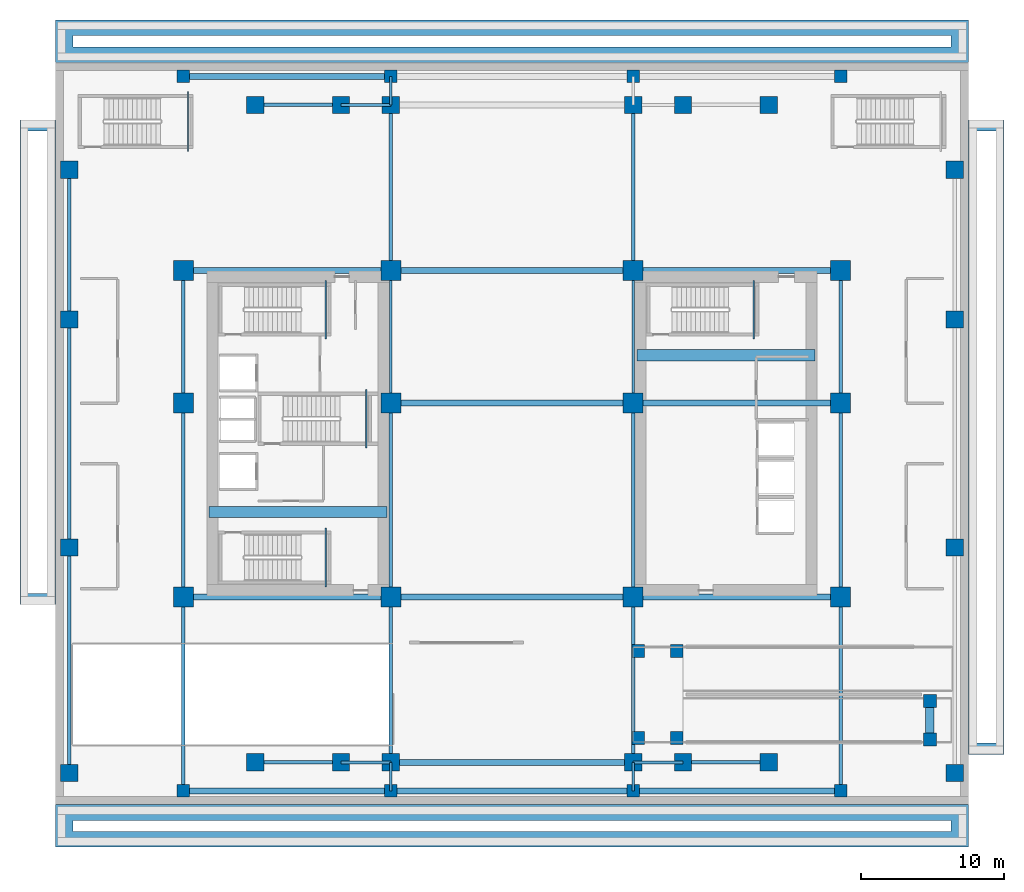
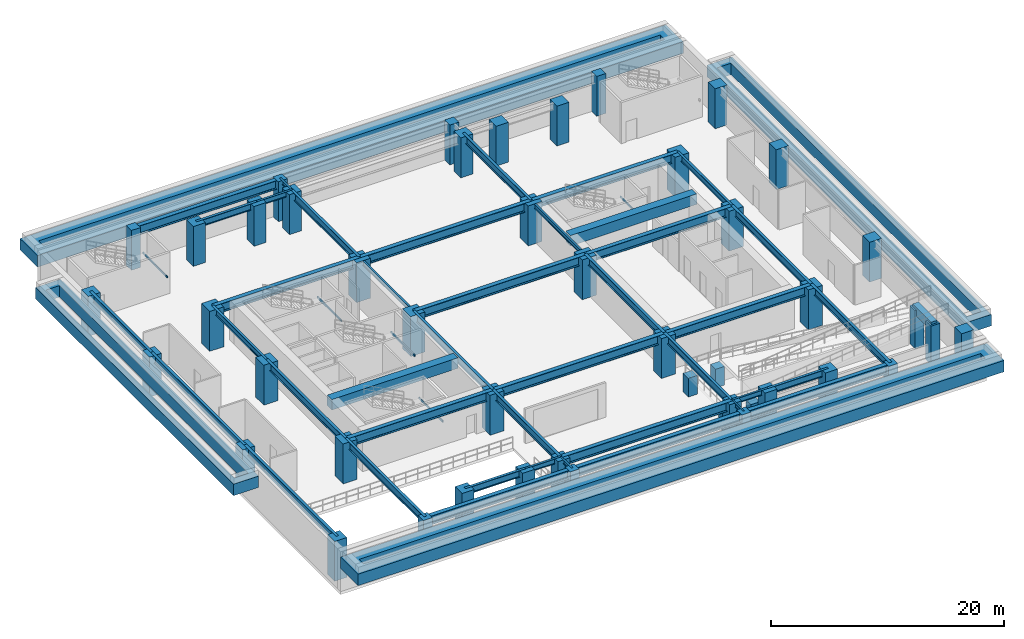
# One storey, part 1 of 9: 47 beams, 46 columns, 4 footings.
"""IFC4 building model written with IfcOpenShell, lengths in metres."""

from ifc_helpers import new_model, si_unit, direction, frame, origin, origin_2d, place, context, subcontext, project, spatial, polyline, rectangle, hollow_rectangle, i_section, outline, extrude, source, transform, mapped, material, material_profile, profile_set, type_object, element, save


model = new_model("IFC4")

# Units and contexts
model_context = context("Model", 3, precision=1e-05, world=origin(), true_north=direction((0.0, 1.0)))
body_context = subcontext(model_context, "Body", "Model", "MODEL_VIEW")
ifc_project = project(units=[si_unit("LENGTHUNIT", "METRE"), si_unit("AREAUNIT", "SQUARE_METRE"), si_unit("VOLUMEUNIT", "CUBIC_METRE"), si_unit("PLANEANGLEUNIT", "RADIAN"), si_unit("MASSUNIT", "GRAM", prefix="KILO")], contexts=[model_context])

# Site, building, storey
site_placement = place(None, origin())
site = spatial("IfcSite", under=ifc_project, at=site_placement, CompositionType="ELEMENT")
building_placement = place(site_placement, origin())
building = spatial("IfcBuilding", under=site, at=building_placement, Name="Ocotamira Hotel", CompositionType="ELEMENT")
storey_placement = place(building_placement, frame((0.0, 0.0, -4.5)))
storey = spatial("IfcBuildingStorey", under=building, at=storey_placement, Name="B01", CompositionType="ELEMENT", Elevation=-4.5)

# Footings
ifc_material_1 = material(Name="Concrete C50/60", Category="concrete")
footing_type = type_object("IfcFootingType", Name="FTG-SF-1000", PredefinedType="STRIP_FOOTING", material=ifc_material_1)
footing_1_placement = place(storey_placement, frame((0.0, 0.0, 2.449951171875)))
element("IfcFooting", 1, at=footing_1_placement, inside=storey, type_object=footing_type, Name="South Plaza Apron Ring Strip Footing", PredefinedType="STRIP_FOOTING", context=body_context, shape_type="SweptSolid", body=[
    extrude(outline(polyline([(0.0, -3.0), (64.0, -3.0), (64.0, -0.02001953125), (0.0, -0.02001953125), (0.0, -3.0)]), holes=[polyline([(1.199951171875, -1.89990234375), (62.800048828125, -1.89990234375), (62.800048828125, -1.1201171875), (1.199951171875, -1.1201171875), (1.199951171875, -1.89990234375)])]), origin(), (0.0, 0.0, 1.0), 1.199951171875),
])
footing_2_placement = place(storey_placement, frame((0.0, 0.0, 2.449951171875)))
element("IfcFooting", 2, at=footing_2_placement, inside=storey, type_object=footing_type, Name="North Plaza Apron Ring Strip Footing", PredefinedType="STRIP_FOOTING", context=body_context, shape_type="SweptSolid", body=[
    extrude(outline(polyline([(0.0, 52.02001953125), (64.0, 52.02001953125), (64.0, 55.0), (0.0, 55.0), (0.0, 52.02001953125)]), holes=[polyline([(1.199951171875, 53.1201171875), (62.800048828125, 53.1201171875), (62.800048828125, 53.89990234375), (1.199951171875, 53.89990234375), (1.199951171875, 53.1201171875)])]), origin(), (0.0, 0.0, 1.0), 1.199951171875),
])
footing_3_placement = place(storey_placement, frame((0.0, 0.0, 2.449951171875)))
element("IfcFooting", 3, at=footing_3_placement, inside=storey, type_object=footing_type, Name="West Exit Sidewalk Ring Strip Footing", PredefinedType="STRIP_FOOTING", context=body_context, shape_type="SweptSolid", body=[
    extrude(outline(polyline([(-2.5, 14.0), (-0.02001953125, 14.0), (-0.02001953125, 48.0), (-2.5, 48.0), (-2.5, 14.0)]), holes=[polyline([(-1.949951171875, 14.800048828125), (-0.570068359375, 14.800048828125), (-0.570068359375, 47.199951171875), (-1.949951171875, 47.199951171875), (-1.949951171875, 14.800048828125)])]), origin(), (0.0, 0.0, 1.0), 1.199951171875),
])
footing_4_placement = place(storey_placement, frame((0.0, 0.0, 2.449951171875)))
element("IfcFooting", 4, at=footing_4_placement, inside=storey, type_object=footing_type, Name="East Exit Sidewalk Ring Strip Footing", PredefinedType="STRIP_FOOTING", context=body_context, shape_type="SweptSolid", body=[
    extrude(outline(polyline([(64.02001953125, 3.5), (66.5, 3.5), (66.5, 48.0), (64.02001953125, 48.0), (64.02001953125, 3.5)]), holes=[polyline([(64.570068359375, 4.300048828125), (65.949951171875, 4.300048828125), (65.949951171875, 47.199951171875), (64.570068359375, 47.199951171875), (64.570068359375, 4.300048828125)])]), origin(), (0.0, 0.0, 1.0), 1.199951171875),
])

# Columns
ifc_material_profile_1 = material_profile(ifc_material_1, rectangle(XDim=0.89990234375, YDim=0.89990234375, at=origin_2d()), Name="RC900X900")
ifc_profile_set_1 = profile_set([ifc_material_profile_1], Name="Concrete C50/60")
column_type_1 = type_object("IfcColumnType", Name="COL-RC900", PredefinedType="COLUMN", material=ifc_profile_set_1)
shared_shape_1 = source(origin(), body_context, "Body", "SweptSolid", [
    extrude(rectangle(XDim=0.89990234375, YDim=0.89990234375, at=origin_2d()), origin(), (0.0, 0.0, 1.0), 1.949951171875),
])
for number, where, z_axis, x_axis, name in (
    (5, (40.85009765625, 4.64990234375, 0.0), (0.0, 0.0, 1.0), (1.0, 0.0, 0.0), "B01 Ramp VR-2 Landing Column 1"),
    (6, (43.550048828125, 4.64990234375, 0.0), (0.0, 0.0, 1.0), (1.0, 0.0, 0.0), "B01 Ramp VR-2 Landing Column 2"),
    (7, (40.85009765625, 10.75, 0.0), (0.0, 0.0, 1.0), (1.0, 0.0, 0.0), "B01 Ramp VR-2 Landing Column 3"),
    (8, (43.550048828125, 10.75, 0.0), (0.0, 0.0, 1.0), (1.0, 0.0, 0.0), "B01 Ramp VR-2 Landing Column 4"),
):
    element("IfcColumn", number, at=place(storey_placement, frame(where, z_axis=z_axis, x_axis=x_axis)), inside=storey, type_object=column_type_1, Name=name, PredefinedType="COLUMN", context=body_context, shape_type="MappedRepresentation", body=[
        mapped(shared_shape_1, transform((0.0, 0.0, 0.0), scale=1.0)),
    ])
shared_shape_2 = source(origin(), body_context, "Body", "SweptSolid", [
    extrude(rectangle(XDim=0.89990234375, YDim=0.89990234375, at=origin_2d()), origin(), (0.0, 0.0, 1.0), 4.02001953125),
])
for number, where, z_axis, x_axis, name in (
    (9, (61.300048828125, 4.550048828125, 0.0), (0.0, 0.0, 1.0), (1.0, 0.0, 0.0), "B01 Ramp VR-2 Arrival Pier 1"),
    (10, (61.300048828125, 7.25, 0.0), (0.0, 0.0, 1.0), (1.0, 0.0, 0.0), "B01 Ramp VR-2 Arrival Pier 2"),
):
    element("IfcColumn", number, at=place(storey_placement, frame(where, z_axis=z_axis, x_axis=x_axis)), inside=storey, type_object=column_type_1, Name=name, PredefinedType="COLUMN", context=body_context, shape_type="MappedRepresentation", body=[
        mapped(shared_shape_2, transform((0.0, 0.0, 0.0), scale=1.0)),
    ])
ifc_material_2 = material(Name="Concrete C60/75", Category="concrete")
ifc_material_profile_2 = material_profile(ifc_material_2, rectangle(XDim=1.199951171875, YDim=1.199951171875, at=origin_2d()), Name="RC1200X1200")
ifc_profile_set_2 = profile_set([ifc_material_profile_2], Name="Concrete C60/75")
column_type_2 = type_object("IfcColumnType", Name="COL-RC1200", PredefinedType="COLUMN", material=ifc_profile_set_2)
shared_shape_3 = source(origin(), body_context, "Body", "SweptSolid", [
    extrude(rectangle(XDim=1.199951171875, YDim=1.199951171875, at=origin_2d()), origin(), (0.0, 0.0, 1.0), 4.179931640625),
])
for number, where, z_axis, x_axis, name in (
    (11, (0.949951171875, 2.199951171875, 0.0), (0.0, 0.0, 1.0), (1.0, 0.0, 0.0), "B01 Column PW1"),
    (12, (63.050048828125, 2.199951171875, 0.0), (0.0, 0.0, 1.0), (1.0, 0.0, 0.0), "B01 Column PE1"),
    (13, (0.949951171875, 18.0, 0.0), (0.0, 0.0, 1.0), (1.0, 0.0, 0.0), "B01 Column PW2"),
    (14, (63.050048828125, 18.0, 0.0), (0.0, 0.0, 1.0), (1.0, 0.0, 0.0), "B01 Column PE2"),
    (15, (0.949951171875, 34.0, 0.0), (0.0, 0.0, 1.0), (1.0, 0.0, 0.0), "B01 Column PW3"),
    (16, (63.050048828125, 34.0, 0.0), (0.0, 0.0, 1.0), (1.0, 0.0, 0.0), "B01 Column PE3"),
    (17, (0.949951171875, 44.5, 0.0), (0.0, 0.0, 1.0), (1.0, 0.0, 0.0), "B01 Column PW4"),
    (18, (63.050048828125, 44.5, 0.0), (0.0, 0.0, 1.0), (1.0, 0.0, 0.0), "B01 Column PE4"),
    (19, (14.0, 2.949951171875, 0.0), (0.0, 0.0, 1.0), (1.0, 0.0, 0.0), "B01 Column NSP1_14"),
    (20, (20.0, 2.949951171875, 0.0), (0.0, 0.0, 1.0), (1.0, 0.0, 0.0), "B01 Column NSP1_20"),
    (21, (23.5, 2.949951171875, 0.0), (0.0, 0.0, 1.0), (1.0, 0.0, 0.0), "B01 Column NSP1_23"),
    (22, (40.5, 2.949951171875, 0.0), (0.0, 0.0, 1.0), (1.0, 0.0, 0.0), "B01 Column NSP1_40"),
    (23, (44.0, 2.949951171875, 0.0), (0.0, 0.0, 1.0), (1.0, 0.0, 0.0), "B01 Column NSP1_44"),
    (24, (50.0, 2.949951171875, 0.0), (0.0, 0.0, 1.0), (1.0, 0.0, 0.0), "B01 Column NSP1_50"),
    (25, (14.0, 49.050048828125, 0.0), (0.0, 0.0, 1.0), (1.0, 0.0, 0.0), "B01 Column NSP2_14"),
    (26, (20.0, 49.050048828125, 0.0), (0.0, 0.0, 1.0), (1.0, 0.0, 0.0), "B01 Column NSP2_20"),
    (27, (23.5, 49.050048828125, 0.0), (0.0, 0.0, 1.0), (1.0, 0.0, 0.0), "B01 Column NSP2_23"),
    (28, (40.5, 49.050048828125, 0.0), (0.0, 0.0, 1.0), (1.0, 0.0, 0.0), "B01 Column NSP2_40"),
    (29, (44.0, 49.050048828125, 0.0), (0.0, 0.0, 1.0), (1.0, 0.0, 0.0), "B01 Column NSP2_44"),
    (30, (50.0, 49.050048828125, 0.0), (0.0, 0.0, 1.0), (1.0, 0.0, 0.0), "B01 Column NSP2_50"),
):
    element("IfcColumn", number, at=place(storey_placement, frame(where, z_axis=z_axis, x_axis=x_axis)), inside=storey, type_object=column_type_2, Name=name, PredefinedType="COLUMN", context=body_context, shape_type="MappedRepresentation", body=[
        mapped(shared_shape_3, transform((0.0, 0.0, 0.0), scale=1.0)),
    ])
shared_shape_4 = source(origin(), body_context, "Body", "SweptSolid", [
    extrude(rectangle(XDim=0.89990234375, YDim=0.89990234375, at=origin_2d()), origin(), (0.0, 0.0, 1.0), 4.179931640625),
])
for number, where, z_axis, x_axis, name in (
    (31, (8.949951171875, 0.949951171875, 0.0), (0.0, 0.0, 1.0), (1.0, 0.0, 0.0), "B01 Column PS1_1"),
    (32, (23.5, 0.949951171875, 0.0), (0.0, 0.0, 1.0), (1.0, 0.0, 0.0), "B01 Column PS1_2"),
    (33, (40.5, 0.949951171875, 0.0), (0.0, 0.0, 1.0), (1.0, 0.0, 0.0), "B01 Column PS1_3"),
    (34, (55.050048828125, 0.949951171875, 0.0), (0.0, 0.0, 1.0), (1.0, 0.0, 0.0), "B01 Column PS1_4"),
    (35, (8.949951171875, 51.050048828125, 0.0), (0.0, 0.0, 1.0), (1.0, 0.0, 0.0), "B01 Column PS2_1"),
    (36, (23.5, 51.050048828125, 0.0), (0.0, 0.0, 1.0), (1.0, 0.0, 0.0), "B01 Column PS2_2"),
    (37, (40.5, 51.050048828125, 0.0), (0.0, 0.0, 1.0), (1.0, 0.0, 0.0), "B01 Column PS2_3"),
    (38, (55.050048828125, 51.050048828125, 0.0), (0.0, 0.0, 1.0), (1.0, 0.0, 0.0), "B01 Column PS2_4"),
):
    element("IfcColumn", number, at=place(storey_placement, frame(where, z_axis=z_axis, x_axis=x_axis)), inside=storey, type_object=column_type_1, Name=name, PredefinedType="COLUMN", context=body_context, shape_type="MappedRepresentation", body=[
        mapped(shared_shape_4, transform((0.0, 0.0, 0.0), scale=1.0)),
    ])
ifc_material_profile_3 = material_profile(ifc_material_2, rectangle(XDim=1.39990234375, YDim=1.39990234375, at=origin_2d()), Name="RC1400X1400")
ifc_profile_set_3 = profile_set([ifc_material_profile_3], Name="Concrete C60/75")
column_type_3 = type_object("IfcColumnType", Name="COL-RC1400", PredefinedType="COLUMN", material=ifc_profile_set_3)
shared_shape_5 = source(origin(), body_context, "Body", "SweptSolid", [
    extrude(rectangle(XDim=1.39990234375, YDim=1.39990234375, at=origin_2d()), origin(), (0.0, 0.0, 1.0), 4.179931640625),
])
for number, where, z_axis, x_axis, name in (
    (39, (8.949951171875, 14.550048828125, 0.0), (0.0, 0.0, 1.0), (1.0, 0.0, 0.0), "B01 Column TW8_14"),
    (40, (23.5, 14.550048828125, 0.0), (0.0, 0.0, 1.0), (1.0, 0.0, 0.0), "B01 Column TW23_14"),
    (41, (40.5, 14.550048828125, 0.0), (0.0, 0.0, 1.0), (1.0, 0.0, 0.0), "B01 Column TE40_14"),
    (42, (55.050048828125, 14.550048828125, 0.0), (0.0, 0.0, 1.0), (1.0, 0.0, 0.0), "B01 Column TE55_14"),
    (43, (8.949951171875, 28.14990234375, 0.0), (0.0, 0.0, 1.0), (1.0, 0.0, 0.0), "B01 Column TW8_28"),
    (44, (23.5, 28.14990234375, 0.0), (0.0, 0.0, 1.0), (1.0, 0.0, 0.0), "B01 Column TW23_28"),
    (45, (40.5, 28.14990234375, 0.0), (0.0, 0.0, 1.0), (1.0, 0.0, 0.0), "B01 Column TE40_28"),
    (46, (55.050048828125, 28.14990234375, 0.0), (0.0, 0.0, 1.0), (1.0, 0.0, 0.0), "B01 Column TE55_28"),
    (47, (8.949951171875, 37.449951171875, 0.0), (0.0, 0.0, 1.0), (1.0, 0.0, 0.0), "B01 Column TW8_37"),
    (48, (23.5, 37.449951171875, 0.0), (0.0, 0.0, 1.0), (1.0, 0.0, 0.0), "B01 Column TW23_37"),
    (49, (40.5, 37.449951171875, 0.0), (0.0, 0.0, 1.0), (1.0, 0.0, 0.0), "B01 Column TE40_37"),
    (50, (55.050048828125, 37.449951171875, 0.0), (0.0, 0.0, 1.0), (1.0, 0.0, 0.0), "B01 Column TE55_37"),
):
    element("IfcColumn", number, at=place(storey_placement, frame(where, z_axis=z_axis, x_axis=x_axis)), inside=storey, type_object=column_type_3, Name=name, PredefinedType="COLUMN", context=body_context, shape_type="MappedRepresentation", body=[
        mapped(shared_shape_5, transform((0.0, 0.0, 0.0), scale=1.0)),
    ])

# Beams
ifc_material_profile_4 = material_profile(ifc_material_2, rectangle(XDim=0.800048828125, YDim=1.10009765625, at=origin_2d()), Name="RC800X1100")
ifc_profile_set_4 = profile_set([ifc_material_profile_4], Name="Concrete C60/75")
beam_type_1 = type_object("IfcBeamType", Name="BM-LINK-RC800", PredefinedType="LINTEL", material=ifc_profile_set_4)
shared_shape_6 = source(origin(), body_context, "Body", "SweptSolid", [
    extrude(rectangle(XDim=0.800048828125, YDim=1.10009765625, at=origin_2d()), origin(), (0.0, 0.0, 1.0), 12.5),
])
for number, where, z_axis, x_axis, name in (
    (51, (10.75, 20.5, 3.6298828125), (1.0, 0.0, 0.0), (0.0, 1.0, 0.0), "B01 West Core Coupling Beam"),
    (52, (40.75, 31.5, 3.6298828125), (1.0, 0.0, 0.0), (0.0, 1.0, 0.0), "B01 East Core Coupling Beam"),
):
    element("IfcBeam", number, at=place(storey_placement, frame(where, z_axis=z_axis, x_axis=x_axis)), inside=storey, type_object=beam_type_1, Name=name, PredefinedType="LINTEL", context=body_context, shape_type="MappedRepresentation", body=[
        mapped(shared_shape_6, transform((0.0, 0.0, 0.0), scale=1.0)),
    ])
ifc_material_profile_5 = material_profile(ifc_material_1, rectangle(XDim=0.60009765625, YDim=0.89990234375, at=origin_2d()), Name="RC600X900")
ifc_profile_set_5 = profile_set([ifc_material_profile_5], Name="Concrete C50/60")
beam_type_2 = type_object("IfcBeamType", Name="BM-LINK-RC600", PredefinedType="LINTEL", material=ifc_profile_set_5)
shared_shape_7 = source(origin(), body_context, "Body", "SweptSolid", [
    extrude(rectangle(XDim=0.60009765625, YDim=0.89990234375, at=origin_2d()), origin(), (0.0, 0.0, 1.0), 3.199951171875),
])
beam_1_placement = place(storey_placement, frame((61.300048828125, 4.300048828125, 3.800048828125), z_axis=(0.0, 1.0, 0.0), x_axis=(-1.0, 0.0, 0.0)))
element("IfcBeam", 53, at=beam_1_placement, inside=storey, type_object=beam_type_2, Name="B01 Ramp VR-2 Arrival Header Beam", PredefinedType="LINTEL", context=body_context, shape_type="MappedRepresentation", body=[
    mapped(shared_shape_7, transform((0.0, 0.0, 0.0), scale=1.0)),
])
ifc_material_3 = material(Name="Steel ASTM A500 Grade C", Category="steel")
ifc_material_profile_6 = material_profile(ifc_material_3, hollow_rectangle(XDim=0.10009765625, YDim=0.199951171875, WallThickness=0.008056640625, at=origin_2d()), Name="HSS200X100X8")
ifc_profile_set_6 = profile_set([ifc_material_profile_6], Name="Steel ASTM A500 Grade C")
beam_type_3 = type_object("IfcBeamType", Name="BM-STLDG-HSS200", PredefinedType="BEAM", material=ifc_profile_set_6)
shared_shape_8 = source(origin(), body_context, "Body", "SweptSolid", [
    extrude(hollow_rectangle(XDim=0.10009765625, YDim=0.199951171875, WallThickness=0.008056640625, at=origin_2d()), origin(), (0.0, 0.0, 1.0), 4.1201171875),
])
for number, where, z_axis, x_axis, name in (
    (54, (18.949951171875, 15.25, 1.949951171875), (0.0, 1.0, 0.0), (-1.0, 0.0, 0.0), "B01 Stair ST-1 Landing Bearer 1"),
    (55, (18.949951171875, 32.6298828125, 1.949951171875), (0.0, 1.0, 0.0), (-1.0, 0.0, 0.0), "B01 Stair ST-2 Landing Bearer 1"),
    (56, (21.780029296875, 24.97998046875, 1.949951171875), (0.0, 1.0, 0.0), (-1.0, 0.0, 0.0), "B01 Stair ST-3 Landing Bearer 1"),
    (57, (48.949951171875, 32.6298828125, 1.949951171875), (0.0, 1.0, 0.0), (-1.0, 0.0, 0.0), "B01 Stair ST-4 Landing Bearer 1"),
):
    element("IfcBeam", number, at=place(storey_placement, frame(where, z_axis=z_axis, x_axis=x_axis)), inside=storey, type_object=beam_type_3, Name=name, PredefinedType="BEAM", context=body_context, shape_type="MappedRepresentation", body=[
        mapped(shared_shape_8, transform((0.0, 0.0, 0.0), scale=1.0)),
    ])
shared_shape_9 = source(origin(), body_context, "Body", "SweptSolid", [
    extrude(hollow_rectangle(XDim=0.10009765625, YDim=0.199951171875, WallThickness=0.008056640625, at=origin_2d()), origin(), (0.0, 0.0, 1.0), 4.199951171875),
])
beam_2_placement = place(storey_placement, frame((9.280029296875, 45.780029296875, 1.949951171875), z_axis=(0.0, 1.0, 0.0), x_axis=(-1.0, 0.0, 0.0)))
element("IfcBeam", 58, at=beam_2_placement, inside=storey, type_object=beam_type_3, Name="B01 Stair ST-5 Landing Bearer 1", PredefinedType="BEAM", context=body_context, shape_type="MappedRepresentation", body=[
    mapped(shared_shape_9, transform((0.0, 0.0, 0.0), scale=1.0)),
])
ifc_material_4 = material(Name="Steel ASTM A992 Grade 50", Category="steel")
ifc_material_profile_7 = material_profile(ifc_material_4, i_section(OverallWidth=0.41796875, OverallDepth=0.927001953125, WebThickness=0.019287109375, FlangeThickness=0.031982421875, FilletRadius=0.02392578125, at=origin_2d()), Name="W36X231")
ifc_profile_set_7 = profile_set([ifc_material_profile_7], Name="Steel ASTM A992 Grade 50")
beam_type_4 = type_object("IfcBeamType", Name="BM-GIRD-W36X231", PredefinedType="BEAM", material=ifc_profile_set_7)
shared_shape_10 = source(origin(), body_context, "Body", "SweptSolid", [
    extrude(i_section(OverallWidth=0.41796875, OverallDepth=0.927001953125, WebThickness=0.019287109375, FlangeThickness=0.031982421875, FilletRadius=0.02392578125, at=origin_2d()), origin(), (0.0, 0.0, 1.0), 14.550048828125),
])
for number, where, z_axis, x_axis, name in (
    (59, (8.949951171875, 0.949951171875, 3.716552734375), (1.0, 0.0, 0.0), (0.0, 1.0, 0.0), "B01 Girder Y0.95 X8.95-23.5"),
    (60, (40.5, 0.949951171875, 3.716552734375), (1.0, 0.0, 0.0), (0.0, 1.0, 0.0), "B01 Girder Y0.95 X40.5-55.05"),
    (61, (8.949951171875, 14.550048828125, 3.716552734375), (1.0, 0.0, 0.0), (0.0, 1.0, 0.0), "B01 Girder Y14.55 X8.95-23.5"),
    (62, (40.5, 14.550048828125, 3.716552734375), (1.0, 0.0, 0.0), (0.0, 1.0, 0.0), "B01 Girder Y14.55 X40.5-55.05"),
    (63, (40.5, 28.14990234375, 3.716552734375), (1.0, 0.0, 0.0), (0.0, 1.0, 0.0), "B01 Girder Y28.15 X40.5-55.05"),
    (64, (8.949951171875, 37.449951171875, 3.716552734375), (1.0, 0.0, 0.0), (0.0, 1.0, 0.0), "B01 Girder Y37.45 X8.95-23.5"),
    (65, (40.5, 37.449951171875, 3.716552734375), (1.0, 0.0, 0.0), (0.0, 1.0, 0.0), "B01 Girder Y37.45 X40.5-55.05"),
    (66, (8.949951171875, 51.050048828125, 3.716552734375), (1.0, 0.0, 0.0), (0.0, 1.0, 0.0), "B01 Girder Y51.05 X8.95-23.5"),
):
    element("IfcBeam", number, at=place(storey_placement, frame(where, z_axis=z_axis, x_axis=x_axis)), inside=storey, type_object=beam_type_4, Name=name, PredefinedType="BEAM", context=body_context, shape_type="MappedRepresentation", body=[
        mapped(shared_shape_10, transform((0.0, 0.0, 0.0), scale=1.0)),
    ])
ifc_material_profile_8 = material_profile(ifc_material_4, i_section(OverallWidth=0.256103515625, OverallDepth=0.693115234375, WebThickness=0.014404296875, FlangeThickness=0.023681640625, FilletRadius=0.01611328125, at=origin_2d()), Name="W27X114")
ifc_profile_set_8 = profile_set([ifc_material_profile_8], Name="Steel ASTM A992 Grade 50")
beam_type_5 = type_object("IfcBeamType", Name="BM-PRIM-W27X114", PredefinedType="BEAM", material=ifc_profile_set_8)
shared_shape_11 = source(origin(), body_context, "Body", "SweptSolid", [
    extrude(i_section(OverallWidth=0.256103515625, OverallDepth=0.693115234375, WebThickness=0.014404296875, FlangeThickness=0.023681640625, FilletRadius=0.01611328125, at=origin_2d()), origin(), (0.0, 0.0, 1.0), 6.0),
])
for number, where, z_axis, x_axis, name in (
    (67, (14.0, 2.949951171875, 3.83349609375), (1.0, 0.0, 0.0), (0.0, 1.0, 0.0), "B01 Girder Y2.95 X14-20"),
    (68, (44.0, 2.949951171875, 3.83349609375), (1.0, 0.0, 0.0), (0.0, 1.0, 0.0), "B01 Girder Y2.95 X44-50"),
    (69, (14.0, 49.050048828125, 3.83349609375), (1.0, 0.0, 0.0), (0.0, 1.0, 0.0), "B01 Girder Y49.05 X14-20"),
):
    element("IfcBeam", number, at=place(storey_placement, frame(where, z_axis=z_axis, x_axis=x_axis)), inside=storey, type_object=beam_type_5, Name=name, PredefinedType="BEAM", context=body_context, shape_type="MappedRepresentation", body=[
        mapped(shared_shape_11, transform((0.0, 0.0, 0.0), scale=1.0)),
    ])
ifc_material_profile_9 = material_profile(ifc_material_4, i_section(OverallWidth=0.2099609375, OverallDepth=0.537109375, WebThickness=0.010986328125, FlangeThickness=0.017333984375, FilletRadius=0.012939453125, at=origin_2d()), Name="W21X68")
ifc_profile_set_9 = profile_set([ifc_material_profile_9], Name="Steel ASTM A992 Grade 50")
beam_type_6 = type_object("IfcBeamType", Name="BM-SEC-W21X68", PredefinedType="JOIST", material=ifc_profile_set_9)
shared_shape_12 = source(origin(), body_context, "Body", "SweptSolid", [
    extrude(i_section(OverallWidth=0.2099609375, OverallDepth=0.537109375, WebThickness=0.010986328125, FlangeThickness=0.017333984375, FilletRadius=0.012939453125, at=origin_2d()), origin(), (0.0, 0.0, 1.0), 3.5),
])
for number, where, z_axis, x_axis, name in (
    (70, (20.0, 2.949951171875, 3.91162109375), (1.0, 0.0, 0.0), (0.0, 1.0, 0.0), "B01 Girder Y2.95 X20-23.5"),
    (71, (40.5, 2.949951171875, 3.91162109375), (1.0, 0.0, 0.0), (0.0, 1.0, 0.0), "B01 Girder Y2.95 X40.5-44"),
    (72, (20.0, 49.050048828125, 3.91162109375), (1.0, 0.0, 0.0), (0.0, 1.0, 0.0), "B01 Girder Y49.05 X20-23.5"),
):
    element("IfcBeam", number, at=place(storey_placement, frame(where, z_axis=z_axis, x_axis=x_axis)), inside=storey, type_object=beam_type_6, Name=name, PredefinedType="JOIST", context=body_context, shape_type="MappedRepresentation", body=[
        mapped(shared_shape_12, transform((0.0, 0.0, 0.0), scale=1.0)),
    ])
ifc_material_profile_10 = material_profile(ifc_material_4, i_section(OverallWidth=0.26611328125, OverallDepth=0.779052734375, WebThickness=0.0166015625, FlangeThickness=0.030029296875, FilletRadius=0.01806640625, at=origin_2d()), Name="W30X148")
ifc_profile_set_10 = profile_set([ifc_material_profile_10], Name="Steel ASTM A992 Grade 50")
beam_type_7 = type_object("IfcBeamType", Name="BM-GIRD-W30X148", PredefinedType="BEAM", material=ifc_profile_set_10)
shared_shape_13 = source(origin(), body_context, "Body", "SweptSolid", [
    extrude(i_section(OverallWidth=0.26611328125, OverallDepth=0.779052734375, WebThickness=0.0166015625, FlangeThickness=0.030029296875, FilletRadius=0.01806640625, at=origin_2d()), origin(), (0.0, 0.0, 1.0), 15.800048828125),
])
beam_3_placement = place(storey_placement, frame((0.949951171875, 2.199951171875, 3.79052734375), z_axis=(0.0, 1.0, 0.0), x_axis=(-1.0, 0.0, 0.0)))
element("IfcBeam", 73, at=beam_3_placement, inside=storey, type_object=beam_type_7, Name="B01 Beam X0.95 Y2.2-18", PredefinedType="BEAM", context=body_context, shape_type="MappedRepresentation", body=[
    mapped(shared_shape_13, transform((0.0, 0.0, 0.0), scale=1.0)),
])
shared_shape_14 = source(origin(), body_context, "Body", "SweptSolid", [
    extrude(i_section(OverallWidth=0.26611328125, OverallDepth=0.779052734375, WebThickness=0.0166015625, FlangeThickness=0.030029296875, FilletRadius=0.01806640625, at=origin_2d()), origin(), (0.0, 0.0, 1.0), 16.0),
])
beam_4_placement = place(storey_placement, frame((0.949951171875, 18.0, 3.79052734375), z_axis=(0.0, 1.0, 0.0), x_axis=(-1.0, 0.0, 0.0)))
element("IfcBeam", 74, at=beam_4_placement, inside=storey, type_object=beam_type_7, Name="B01 Beam X0.95 Y18-34", PredefinedType="BEAM", context=body_context, shape_type="MappedRepresentation", body=[
    mapped(shared_shape_14, transform((0.0, 0.0, 0.0), scale=1.0)),
])
shared_shape_15 = source(origin(), body_context, "Body", "SweptSolid", [
    extrude(i_section(OverallWidth=0.26611328125, OverallDepth=0.779052734375, WebThickness=0.0166015625, FlangeThickness=0.030029296875, FilletRadius=0.01806640625, at=origin_2d()), origin(), (0.0, 0.0, 1.0), 10.5),
])
beam_5_placement = place(storey_placement, frame((0.949951171875, 34.0, 3.79052734375), z_axis=(0.0, 1.0, 0.0), x_axis=(-1.0, 0.0, 0.0)))
element("IfcBeam", 75, at=beam_5_placement, inside=storey, type_object=beam_type_7, Name="B01 Beam X0.95 Y34-44.5", PredefinedType="BEAM", context=body_context, shape_type="MappedRepresentation", body=[
    mapped(shared_shape_15, transform((0.0, 0.0, 0.0), scale=1.0)),
])
shared_shape_16 = source(origin(), body_context, "Body", "SweptSolid", [
    extrude(i_section(OverallWidth=0.26611328125, OverallDepth=0.779052734375, WebThickness=0.0166015625, FlangeThickness=0.030029296875, FilletRadius=0.01806640625, at=origin_2d()), origin(), (0.0, 0.0, 1.0), 13.60009765625),
])
for number, where, z_axis, x_axis, name in (
    (76, (8.949951171875, 0.949951171875, 3.79052734375), (0.0, 1.0, 0.0), (-1.0, 0.0, 0.0), "B01 Beam X8.95 Y0.95-14.55"),
    (77, (55.050048828125, 0.949951171875, 3.79052734375), (0.0, 1.0, 0.0), (-1.0, 0.0, 0.0), "B01 Beam X55.05 Y0.95-14.55"),
):
    element("IfcBeam", number, at=place(storey_placement, frame(where, z_axis=z_axis, x_axis=x_axis)), inside=storey, type_object=beam_type_7, Name=name, PredefinedType="BEAM", context=body_context, shape_type="MappedRepresentation", body=[
        mapped(shared_shape_16, transform((0.0, 0.0, 0.0), scale=1.0)),
    ])
shared_shape_17 = source(origin(), body_context, "Body", "SweptSolid", [
    extrude(i_section(OverallWidth=0.26611328125, OverallDepth=0.779052734375, WebThickness=0.0166015625, FlangeThickness=0.030029296875, FilletRadius=0.01806640625, at=origin_2d()), origin(), (0.0, 0.0, 1.0), 13.599853515625),
])
for number, where, z_axis, x_axis, name in (
    (78, (8.949951171875, 14.550048828125, 3.79052734375), (0.0, 1.0, 0.0), (-1.0, 0.0, 0.0), "B01 Beam X8.95 Y14.55-28.15"),
    (79, (23.5, 14.550048828125, 3.79052734375), (0.0, 1.0, 0.0), (-1.0, 0.0, 0.0), "B01 Beam X23.5 Y14.55-28.15"),
    (80, (40.5, 14.550048828125, 3.79052734375), (0.0, 1.0, 0.0), (-1.0, 0.0, 0.0), "B01 Beam X40.5 Y14.55-28.15"),
    (81, (55.050048828125, 14.550048828125, 3.79052734375), (0.0, 1.0, 0.0), (-1.0, 0.0, 0.0), "B01 Beam X55.05 Y14.55-28.15"),
):
    element("IfcBeam", number, at=place(storey_placement, frame(where, z_axis=z_axis, x_axis=x_axis)), inside=storey, type_object=beam_type_7, Name=name, PredefinedType="BEAM", context=body_context, shape_type="MappedRepresentation", body=[
        mapped(shared_shape_17, transform((0.0, 0.0, 0.0), scale=1.0)),
    ])
ifc_material_profile_11 = material_profile(ifc_material_4, i_section(OverallWidth=0.22998046875, OverallDepth=0.616943359375, WebThickness=0.01318359375, FlangeThickness=0.022216796875, FilletRadius=0.012939453125, at=origin_2d()), Name="W24X94")
ifc_profile_set_11 = profile_set([ifc_material_profile_11], Name="Steel ASTM A992 Grade 50")
beam_type_8 = type_object("IfcBeamType", Name="BM-PRIM-W24X94", PredefinedType="BEAM", material=ifc_profile_set_11)
shared_shape_18 = source(origin(), body_context, "Body", "SweptSolid", [
    extrude(i_section(OverallWidth=0.22998046875, OverallDepth=0.616943359375, WebThickness=0.01318359375, FlangeThickness=0.022216796875, FilletRadius=0.012939453125, at=origin_2d()), origin(), (0.0, 0.0, 1.0), 9.300048828125),
])
for number, where, z_axis, x_axis, name in (
    (82, (8.949951171875, 28.14990234375, 3.87158203125), (0.0, 1.0, 0.0), (-1.0, 0.0, 0.0), "B01 Beam X8.95 Y28.15-37.45"),
    (83, (55.050048828125, 28.14990234375, 3.87158203125), (0.0, 1.0, 0.0), (-1.0, 0.0, 0.0), "B01 Beam X55.05 Y28.15-37.45"),
):
    element("IfcBeam", number, at=place(storey_placement, frame(where, z_axis=z_axis, x_axis=x_axis)), inside=storey, type_object=beam_type_8, Name=name, PredefinedType="BEAM", context=body_context, shape_type="MappedRepresentation", body=[
        mapped(shared_shape_18, transform((0.0, 0.0, 0.0), scale=1.0)),
    ])
ifc_material_profile_12 = material_profile(ifc_material_4, i_section(OverallWidth=0.177978515625, OverallDepth=0.403076171875, WebThickness=0.007568359375, FlangeThickness=0.010986328125, FilletRadius=0.010009765625, at=origin_2d()), Name="W16X36")
ifc_profile_set_12 = profile_set([ifc_material_profile_12], Name="Steel ASTM A992 Grade 50")
beam_type_9 = type_object("IfcBeamType", Name="BM-SEC-W16X36", PredefinedType="JOIST", material=ifc_profile_set_12)
shared_shape_19 = source(origin(), body_context, "Body", "SweptSolid", [
    extrude(i_section(OverallWidth=0.177978515625, OverallDepth=0.403076171875, WebThickness=0.007568359375, FlangeThickness=0.010986328125, FilletRadius=0.010009765625, at=origin_2d()), origin(), (0.0, 0.0, 1.0), 2.0),
])
for number, where, z_axis, x_axis, name in (
    (84, (23.5, 0.949951171875, 3.978515625), (0.0, 1.0, 0.0), (-1.0, 0.0, 0.0), "B01 Beam X23.5 Y0.95-2.95"),
    (85, (23.5, 49.050048828125, 3.978515625), (0.0, 1.0, 0.0), (-1.0, 0.0, 0.0), "B01 Beam X23.5 Y49.05-51.05"),
    (86, (40.5, 0.949951171875, 3.978515625), (0.0, 1.0, 0.0), (-1.0, 0.0, 0.0), "B01 Beam X40.5 Y0.95-2.95"),
):
    element("IfcBeam", number, at=place(storey_placement, frame(where, z_axis=z_axis, x_axis=x_axis)), inside=storey, type_object=beam_type_9, Name=name, PredefinedType="JOIST", context=body_context, shape_type="MappedRepresentation", body=[
        mapped(shared_shape_19, transform((0.0, 0.0, 0.0), scale=1.0)),
    ])
shared_shape_20 = source(origin(), body_context, "Body", "SweptSolid", [
    extrude(i_section(OverallWidth=0.26611328125, OverallDepth=0.779052734375, WebThickness=0.0166015625, FlangeThickness=0.030029296875, FilletRadius=0.01806640625, at=origin_2d()), origin(), (0.0, 0.0, 1.0), 11.60009765625),
])
for number, where, z_axis, x_axis, name in (
    (87, (23.5, 2.949951171875, 3.79052734375), (0.0, 1.0, 0.0), (-1.0, 0.0, 0.0), "B01 Beam X23.5 Y2.95-14.55"),
    (88, (23.5, 37.449951171875, 3.79052734375), (0.0, 1.0, 0.0), (-1.0, 0.0, 0.0), "B01 Beam X23.5 Y37.45-49.05"),
    (89, (40.5, 2.949951171875, 3.79052734375), (0.0, 1.0, 0.0), (-1.0, 0.0, 0.0), "B01 Beam X40.5 Y2.95-14.55"),
    (90, (40.5, 37.449951171875, 3.79052734375), (0.0, 1.0, 0.0), (-1.0, 0.0, 0.0), "B01 Beam X40.5 Y37.45-49.05"),
):
    element("IfcBeam", number, at=place(storey_placement, frame(where, z_axis=z_axis, x_axis=x_axis)), inside=storey, type_object=beam_type_7, Name=name, PredefinedType="BEAM", context=body_context, shape_type="MappedRepresentation", body=[
        mapped(shared_shape_20, transform((0.0, 0.0, 0.0), scale=1.0)),
    ])
ifc_material_profile_13 = material_profile(ifc_material_4, i_section(OverallWidth=0.18994140625, OverallDepth=0.45703125, WebThickness=0.009033203125, FlangeThickness=0.014404296875, FilletRadius=0.010009765625, at=origin_2d()), Name="W18X50")
ifc_profile_set_13 = profile_set([ifc_material_profile_13], Name="Steel ASTM A992 Grade 50")
beam_type_10 = type_object("IfcBeamType", Name="BM-SEC-W18X50", PredefinedType="JOIST", material=ifc_profile_set_13)
shared_shape_21 = source(origin(), body_context, "Body", "SweptSolid", [
    extrude(i_section(OverallWidth=0.18994140625, OverallDepth=0.45703125, WebThickness=0.009033203125, FlangeThickness=0.014404296875, FilletRadius=0.010009765625, at=origin_2d()), origin(), (0.0, 0.0, 1.0), 9.300048828125),
])
for number, where, z_axis, x_axis, name in (
    (91, (23.5, 28.14990234375, 3.951416015625), (0.0, 1.0, 0.0), (-1.0, 0.0, 0.0), "B01 Beam X23.5 Y28.15-37.45"),
    (92, (40.5, 28.14990234375, 3.951416015625), (0.0, 1.0, 0.0), (-1.0, 0.0, 0.0), "B01 Beam X40.5 Y28.15-37.45"),
):
    element("IfcBeam", number, at=place(storey_placement, frame(where, z_axis=z_axis, x_axis=x_axis)), inside=storey, type_object=beam_type_10, Name=name, PredefinedType="JOIST", context=body_context, shape_type="MappedRepresentation", body=[
        mapped(shared_shape_21, transform((0.0, 0.0, 0.0), scale=1.0)),
    ])
ifc_material_5 = material(Name="Steel ASTM A913 Grade 65", Category="steel")
ifc_material_profile_14 = material_profile(ifc_material_5, i_section(OverallWidth=0.423095703125, OverallDepth=0.947998046875, WebThickness=0.02392578125, FlangeThickness=0.042724609375, FilletRadius=0.02392578125, at=origin_2d()), Name="W36X302")
ifc_profile_set_14 = profile_set([ifc_material_profile_14], Name="Steel ASTM A913 Grade 65")
beam_type_11 = type_object("IfcBeamType", Name="BM-TRUSS-W36X302", PredefinedType="BEAM", material=ifc_profile_set_14)
shared_shape_22 = source(origin(), body_context, "Body", "SweptSolid", [
    extrude(i_section(OverallWidth=0.423095703125, OverallDepth=0.947998046875, WebThickness=0.02392578125, FlangeThickness=0.042724609375, FilletRadius=0.02392578125, at=origin_2d()), origin(), (0.0, 0.0, 1.0), 17.0),
])
for number, where, z_axis, x_axis, name in (
    (93, (23.5, 0.949951171875, 3.7060546875), (1.0, 0.0, 0.0), (0.0, 1.0, 0.0), "B01 Girder Y0.95 X23.5-40.5"),
    (94, (23.5, 2.949951171875, 3.7060546875), (1.0, 0.0, 0.0), (0.0, 1.0, 0.0), "B01 Girder Y2.95 X23.5-40.5"),
    (95, (23.5, 14.550048828125, 3.7060546875), (1.0, 0.0, 0.0), (0.0, 1.0, 0.0), "B01 Girder Y14.55 X23.5-40.5"),
    (96, (23.5, 28.14990234375, 3.7060546875), (1.0, 0.0, 0.0), (0.0, 1.0, 0.0), "B01 Girder Y28.15 X23.5-40.5"),
    (97, (23.5, 37.449951171875, 3.7060546875), (1.0, 0.0, 0.0), (0.0, 1.0, 0.0), "B01 Girder Y37.45 X23.5-40.5"),
):
    element("IfcBeam", number, at=place(storey_placement, frame(where, z_axis=z_axis, x_axis=x_axis)), inside=storey, type_object=beam_type_11, Name=name, PredefinedType="BEAM", context=body_context, shape_type="MappedRepresentation", body=[
        mapped(shared_shape_22, transform((0.0, 0.0, 0.0), scale=1.0)),
    ])

save(model, "model.ifc")
